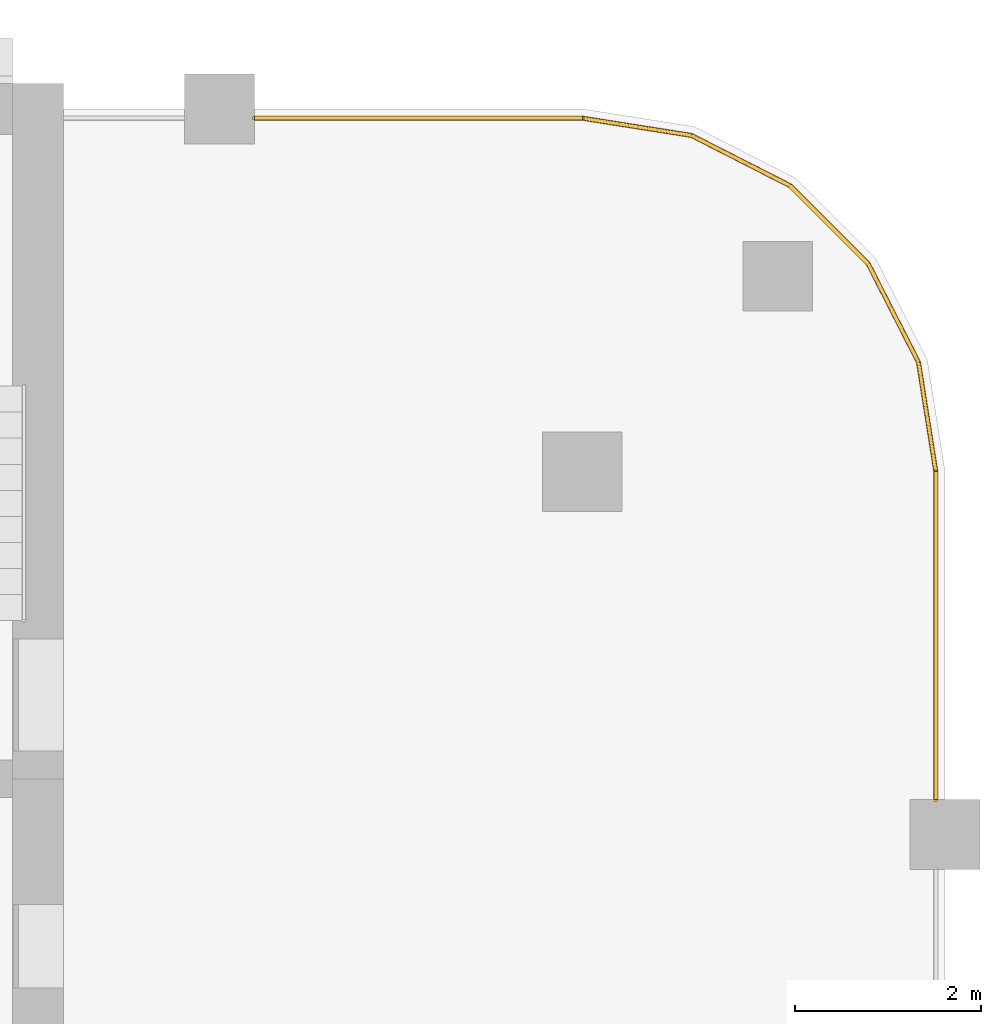
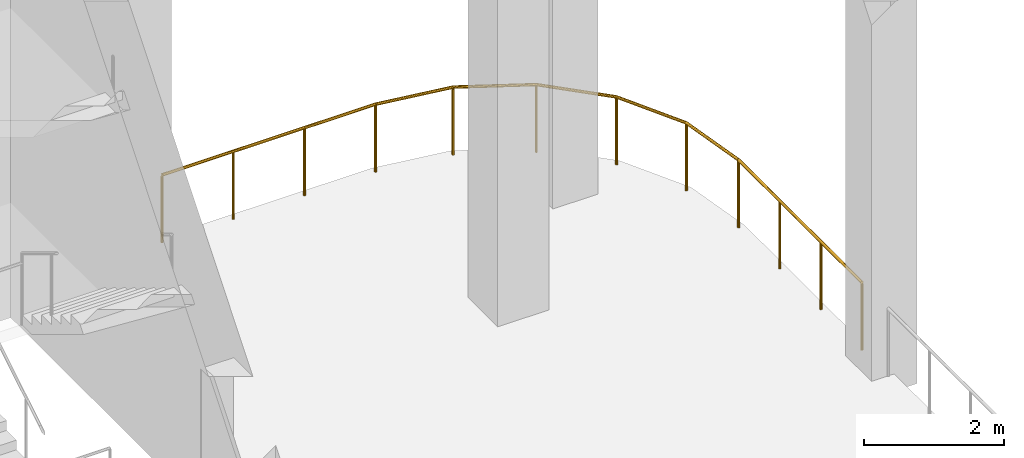
# One storey, part 10 of 10: 3 railings.
"""IFC4 building model written with IfcOpenShell, lengths in metres."""

from ifc_helpers import new_model, si_unit, direction, frame, origin, origin_2d, place, context, subcontext, project, spatial, circle, extrude, material, type_object, element, save


model = new_model("IFC4")

# Units and contexts
model_context = context("Model", 3, precision=1e-05, world=origin(), true_north=direction((0.0, 1.0)))
body_context = subcontext(model_context, "Body", "Model", "MODEL_VIEW")
ifc_project = project(units=[si_unit("LENGTHUNIT", "METRE"), si_unit("AREAUNIT", "SQUARE_METRE"), si_unit("VOLUMEUNIT", "CUBIC_METRE"), si_unit("PLANEANGLEUNIT", "RADIAN"), si_unit("MASSUNIT", "GRAM", prefix="KILO")], contexts=[model_context])

# Site, building, storey
site_placement = place(None, origin())
site = spatial("IfcSite", under=ifc_project, at=site_placement, CompositionType="ELEMENT")
building_placement = place(site_placement, origin())
building = spatial("IfcBuilding", under=site, at=building_placement, Name="Ludao Terraces", CompositionType="ELEMENT")
storey_placement = place(building_placement, frame((0.0, 0.0, 172.39990234375)))
storey = spatial("IfcBuildingStorey", under=building, at=storey_placement, Name="L47", CompositionType="ELEMENT", Elevation=172.39990234375)

# Railings
ifc_material = material(Name="Steel Q235", Category="steel")
railing_type = type_object("IfcRailingType", Name="ENV Open-edge guard 1200", PredefinedType="GUARDRAIL", material=ifc_material)
railing_1_placement = place(storey_placement, frame((104.39990234375, 77.074951171875, 0.0)))
element("IfcRailing", 1, at=railing_1_placement, inside=storey, type_object=railing_type, Name="Guard L47 E5", PredefinedType="GUARDRAIL", context=body_context, shape_type="SweptSolid", body=[
    extrude(circle(Radius=0.02392578125, at=origin_2d()), frame((0.0, 0.0, 1.17578125), z_axis=(0.0, 1.0, 0.0), x_axis=(-1.0, 0.0, 0.0)), (0.0, 0.0, 1.0), 3.525146484375),
    extrude(circle(Radius=0.02099609375, at=origin_2d()), origin(), (0.0, 0.0, 1.0), 1.15185546875),
    extrude(circle(Radius=0.02099609375, at=origin_2d()), frame((0.0, 1.175048828125, 0.0)), (0.0, 0.0, 1.0), 1.15185546875),
    extrude(circle(Radius=0.02099609375, at=origin_2d()), frame((0.0, 2.35009765625, 0.0)), (0.0, 0.0, 1.0), 1.15185546875),
    extrude(circle(Radius=0.02099609375, at=origin_2d()), frame((0.0, 3.525146484375, 0.0)), (0.0, 0.0, 1.0), 1.15185546875),
])
railing_2_placement = place(storey_placement, frame((97.074951171875, 84.39990234375, 0.0)))
element("IfcRailing", 2, at=railing_2_placement, inside=storey, type_object=railing_type, Name="Guard L47 N4", PredefinedType="GUARDRAIL", context=body_context, shape_type="SweptSolid", body=[
    extrude(circle(Radius=0.02392578125, at=origin_2d()), frame((0.0, 0.0, 1.17578125), z_axis=(1.0, 0.0, 0.0), x_axis=(0.0, 1.0, 0.0)), (0.0, 0.0, 1.0), 3.525146484375),
    extrude(circle(Radius=0.02099609375, at=origin_2d()), origin(), (0.0, 0.0, 1.0), 1.15185546875),
    extrude(circle(Radius=0.02099609375, at=origin_2d()), frame((1.175048828125, 0.0, 0.0)), (0.0, 0.0, 1.0), 1.15185546875),
    extrude(circle(Radius=0.02099609375, at=origin_2d()), frame((2.35009765625, 0.0, 0.0)), (0.0, 0.0, 1.0), 1.15185546875),
    extrude(circle(Radius=0.02099609375, at=origin_2d()), frame((3.525146484375, 0.0, 0.0)), (0.0, 0.0, 1.0), 1.15185546875),
])
railing_3_placement = place(storey_placement, frame((104.39990234375, 80.60009765625, 0.0)))
element("IfcRailing", 3, at=railing_3_placement, inside=storey, type_object=railing_type, Name="Guard L47 NE", PredefinedType="GUARDRAIL", context=body_context, shape_type="SweptSolid", body=[
    extrude(circle(Radius=0.02392578125, at=origin_2d()), frame((0.0, 0.0, 1.17578125), z_axis=(-0.156300066377, 0.987709617879, 0.0), x_axis=(-0.987709617879, -0.156300066377, 0.0)), (0.0, 0.0, 1.0), 1.188720703125),
    extrude(circle(Radius=0.02392578125, at=origin_2d()), frame((-0.185791015625, 1.174072265625, 1.17578125), z_axis=(-0.454018062405, 0.890992479772, 0.0), x_axis=(-0.890992479772, -0.454018062405, 0.0)), (0.0, 0.0, 1.0), 1.18896484375),
    extrude(circle(Radius=0.02392578125, at=origin_2d()), frame((-0.7255859375, 2.2333984375, 1.17578125), z_axis=(-0.707106781187, 0.707106781187, 0.0), x_axis=(-0.707106781187, -0.707106781187, 0.0)), (0.0, 0.0, 1.0), 1.189208984375),
    extrude(circle(Radius=0.02392578125, at=origin_2d()), frame((-1.56640625, 3.07421875, 1.17578125), z_axis=(-0.890992479772, 0.454018062405, 0.0), x_axis=(-0.454018062405, -0.890992479772, 0.0)), (0.0, 0.0, 1.0), 1.18896484375),
    extrude(circle(Radius=0.02392578125, at=origin_2d()), frame((-2.625732421875, 3.614013671875, 1.17578125), z_axis=(-0.987709617879, 0.156300066377, 0.0), x_axis=(-0.156300066377, -0.987709617879, 0.0)), (0.0, 0.0, 1.0), 1.188720703125),
    extrude(circle(Radius=0.02099609375, at=origin_2d()), origin(), (0.0, 0.0, 1.0), 1.15185546875),
    extrude(circle(Radius=0.02099609375, at=origin_2d()), frame((-0.185791015625, 1.174072265625, 0.0)), (0.0, 0.0, 1.0), 1.15185546875),
    extrude(circle(Radius=0.02099609375, at=origin_2d()), frame((-0.7255859375, 2.2333984375, 0.0)), (0.0, 0.0, 1.0), 1.15185546875),
    extrude(circle(Radius=0.02099609375, at=origin_2d()), frame((-1.56640625, 3.07421875, 0.0)), (0.0, 0.0, 1.0), 1.15185546875),
    extrude(circle(Radius=0.02099609375, at=origin_2d()), frame((-2.625732421875, 3.614013671875, 0.0)), (0.0, 0.0, 1.0), 1.15185546875),
    extrude(circle(Radius=0.02099609375, at=origin_2d()), frame((-3.7998046875, 3.7998046875, 0.0)), (0.0, 0.0, 1.0), 1.15185546875),
])

save(model, "model.ifc")
